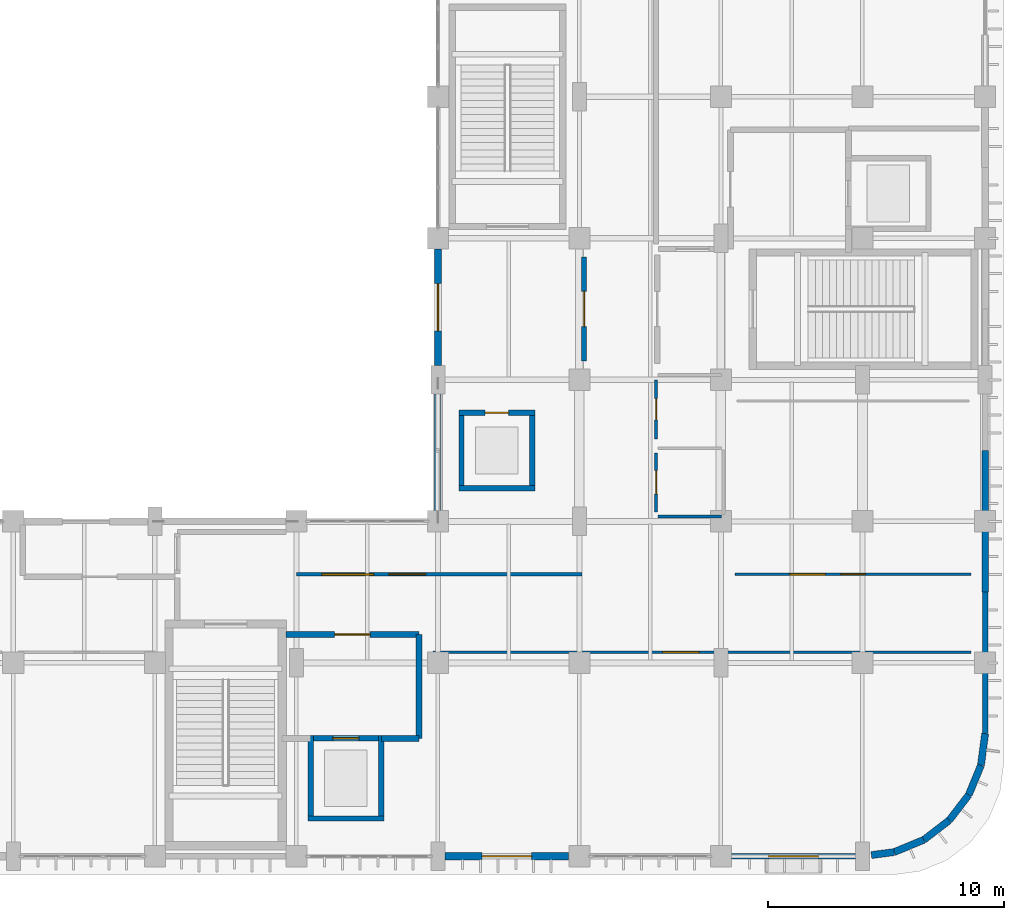
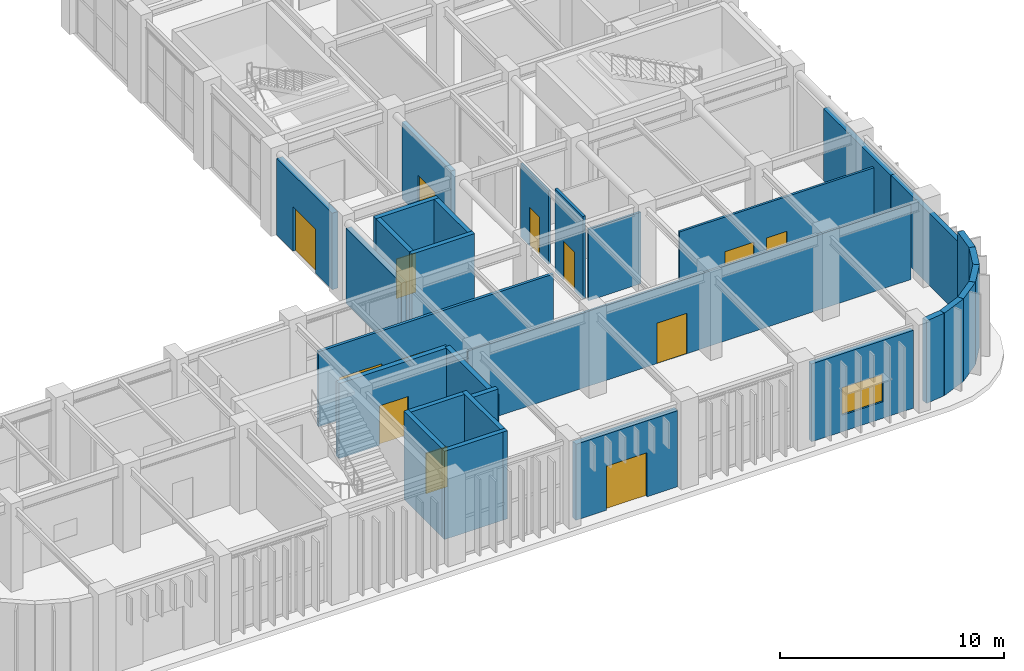
# One storey, part 50 of 76: 30 walls, 11 doors, 3 windows, 14 openings.
"""IFC4 building model written with IfcOpenShell, lengths in metres."""

import ifcopenshell
import ifcopenshell.guid

model = None  # the IFC model being written
_history = None  # IfcOwnerHistory: only IFC2X3 demands one
_inside = {}  # id of a spatial element -> (the spatial element, [elements in it])
_under = {}  # id of a project, library or spatial element -> (it, [spatial elements below it])
_declared = {}  # id of a project -> (the project, [libraries it declares])
_typed = {}  # id of a type object -> (the type object, [elements of that type])
_made_of = {}  # id of a material, layer set ... -> (it, [elements and type objects made of it])


def new_model(schema):
    """Start an empty IFC model of exactly this schema.

    Asked for "IFC4X3", IfcOpenShell would pick the latest addendum, in which some entities
    have other attributes; the version numbers below select the first issue.
    IFC2X3 requires an IfcOwnerHistory on every rooted entity: one is made here for all.
    """
    global model, _history
    if schema == "IFC4X3":
        model = ifcopenshell.file(schema_version=(4, 3, 0, 0))
    else:
        model = ifcopenshell.file(schema=schema)
    _inside.clear()
    _under.clear()
    _declared.clear()
    _typed.clear()
    _made_of.clear()
    _history = None
    if model.schema == "IFC2X3":
        org = make("IfcOrganization", Name="unknown")
        user = make(
            "IfcPersonAndOrganization",
            ThePerson=make("IfcPerson", FamilyName="unknown"),
            TheOrganization=org,
        )
        app = make(
            "IfcApplication",
            ApplicationDeveloper=org,
            Version="unknown",
            ApplicationFullName="unknown",
            ApplicationIdentifier="unknown",
        )
        _history = make(
            "IfcOwnerHistory",
            OwningUser=user,
            OwningApplication=app,
            ChangeAction="ADDED",
            CreationDate=0,
        )
    return model


def make(cls, **values):
    """One entity of the class cls with the attributes given. An attribute that is None is left unset."""
    return model.create_entity(
        cls, **{name: value for name, value in values.items() if value is not None}
    )


def rooted(cls, **values):
    """An entity with a GlobalId (a new one), such as an element, a storey or a relation."""
    return make(cls, GlobalId=ifcopenshell.guid.new(), OwnerHistory=_history, **values)


def si_unit(unit_type, name, prefix=None):
    """IfcSIUnit, for example si_unit("LENGTHUNIT", "METRE", prefix="MILLI")."""
    return make("IfcSIUnit", UnitType=unit_type, Prefix=prefix, Name=name)


def assignment(units):
    """IfcUnitAssignment: the units of a project."""
    return None if units is None else make("IfcUnitAssignment", Units=units)


def point(xyz):
    """IfcCartesianPoint."""
    return None if xyz is None else make("IfcCartesianPoint", Coordinates=xyz)


def direction(xyz):
    """IfcDirection."""
    return None if xyz is None else make("IfcDirection", DirectionRatios=xyz)


def frame(location, z_axis=None, x_axis=None):
    """IfcAxis2Placement3D, a coordinate frame: its origin and axes. An axis left out is left unset."""
    return make(
        "IfcAxis2Placement3D",
        Location=point(location),
        Axis=direction(z_axis),
        RefDirection=direction(x_axis),
    )


def frame_2d(location, x_axis=None):
    """IfcAxis2Placement2D, a coordinate frame in the plane: its origin and x axis."""
    return make(
        "IfcAxis2Placement2D", Location=point(location), RefDirection=direction(x_axis)
    )


def origin():
    """The frame at (0, 0, 0) with its axes left unset."""
    return frame((0.0, 0.0, 0.0))


def place(relative_to, where):
    """IfcLocalPlacement: puts the frame where relative to a parent placement (None: the world)."""
    return make(
        "IfcLocalPlacement", PlacementRelTo=relative_to, RelativePlacement=where
    )


def context(
    kind, dimensions, precision=None, world=None, true_north=None, identifier=None
):
    """IfcGeometricRepresentationContext, for example the 3D "Model" context."""
    return make(
        "IfcGeometricRepresentationContext",
        ContextIdentifier=identifier,
        ContextType=kind,
        CoordinateSpaceDimension=dimensions,
        Precision=precision,
        WorldCoordinateSystem=world,
        TrueNorth=true_north,
    )


def subcontext(parent, identifier, kind, view, scale=None):
    """IfcGeometricRepresentationSubContext, for example "Body" below "Model"."""
    return make(
        "IfcGeometricRepresentationSubContext",
        ContextIdentifier=identifier,
        ContextType=kind,
        ParentContext=parent,
        TargetScale=scale,
        TargetView=view,
    )


def project(units=None, contexts=None):
    """IfcProject with its units and contexts."""
    return rooted(
        "IfcProject",
        Name="project",
        RepresentationContexts=contexts,
        UnitsInContext=assignment(units),
    )


def spatial(cls, under=None, at=None, **own):
    """A site, building, storey or space (cls), placed at a placement, below another one or the project."""
    s = rooted(cls, ObjectPlacement=at, **own)
    if under is not None:
        _under.setdefault(under.id(), (under, []))[1].append(s)
    return s


def profile(cls, at=None, kind="AREA", **sizes):
    """A parametric profile (cls). Its sizes go by their IFC names, for example OverallWidth=200.0."""
    return make(cls, ProfileType=kind, Position=at, **sizes)


def rectangle(**sizes):
    """IfcRectangleProfileDef."""
    return profile("IfcRectangleProfileDef", **sizes)


def extrude(swept, where, along, depth):
    """IfcExtrudedAreaSolid: the profile swept, set in the frame where, extruded along a direction by depth."""
    return make(
        "IfcExtrudedAreaSolid",
        SweptArea=swept,
        Position=where,
        ExtrudedDirection=direction(along),
        Depth=depth,
    )


def shape(context_of_items, identifier, shape_type, items):
    """IfcShapeRepresentation: the items that make up one representation, for example the "Body"."""
    return make(
        "IfcShapeRepresentation",
        ContextOfItems=context_of_items,
        RepresentationIdentifier=identifier,
        RepresentationType=shape_type,
        Items=items,
    )


def material(Name=None, Category=None):
    """IfcMaterial."""
    return make("IfcMaterial", Name=Name, Category=Category)


def layer(
    of_material, thickness, ventilated=None, Name=None, Category=None, Priority=None
):
    """IfcMaterialLayer: one layer of a wall or slab, of a material (None: an air gap)."""
    return make(
        "IfcMaterialLayer",
        Material=of_material,
        LayerThickness=thickness,
        IsVentilated=ventilated,
        Name=Name,
        Category=Category,
        Priority=Priority,
    )


def layer_set(layers, Name=None):
    """IfcMaterialLayerSet."""
    return make("IfcMaterialLayerSet", MaterialLayers=layers, LayerSetName=Name)


def made_of(thing, what):
    """Note that an element or type object is made of a material, layer set ...; save() writes the relation."""
    if what is not None:
        _made_of.setdefault(what.id(), (what, []))[1].append(thing)
    return thing


def type_object(cls, material=None, **own):
    """A type object (cls), such as IfcWallType, which elements share."""
    return made_of(rooted(cls, **own), material)


def element(
    cls,
    number,
    at=None,
    inside=None,
    cuts=None,
    type_object=None,
    material=None,
    context=None,
    identifier="Body",
    shape_type=None,
    held_by="IfcProductDefinitionShape",
    body=None,
    shapes=None,
    **own,
):
    """One element of the class cls, such as IfcWall. Its Tag is "e" and its number.

    at: its placement. inside: the storey or other place that contains it. cuts: it is an
    opening in that element (IfcRelVoidsElement). A single representation is given by context,
    identifier, shape_type and body (its items); several are given by shapes. held_by: the class
    of the entity that holds the representations. save() writes the other relations.
    """
    e = rooted(cls, Tag="e%d" % number, ObjectPlacement=at, **own)
    if body is not None:
        shapes = [shape(context, identifier, shape_type, body)]
    if shapes is not None:
        e.Representation = make(held_by, Representations=shapes)
    if inside is not None:
        _inside.setdefault(inside.id(), (inside, []))[1].append(e)
    if cuts is not None:
        rooted(
            "IfcRelVoidsElement", RelatingBuildingElement=cuts, RelatedOpeningElement=e
        )
    if type_object is not None:
        _typed.setdefault(type_object.id(), (type_object, []))[1].append(e)
    return made_of(e, material)


def fill(opening, filler):
    """IfcRelFillsElement: the door or window that sits in an opening."""
    return rooted(
        "IfcRelFillsElement",
        RelatingOpeningElement=opening,
        RelatedBuildingElement=filler,
    )


def aggregate(whole, parts):
    """IfcRelAggregates: a whole, such as a stair, and the parts it consists of."""
    return rooted("IfcRelAggregates", RelatingObject=whole, RelatedObjects=parts)


def save(model, path):
    """Write the relations noted so far, then the file.

    IfcRelAggregates (storeys below a building ...), IfcRelContainedInSpatialStructure (elements
    in a storey), IfcRelDefinesByType, IfcRelAssociatesMaterial and IfcRelDeclares: one each for
    every whole, place, type object, material and project.
    """
    for whole, parts in _under.values():
        aggregate(whole, parts)
    for where, things in _inside.values():
        rooted(
            "IfcRelContainedInSpatialStructure",
            RelatedElements=things,
            RelatingStructure=where,
        )
    for kind, things in _typed.values():
        rooted("IfcRelDefinesByType", RelatedObjects=things, RelatingType=kind)
    for what, things in _made_of.values():
        rooted("IfcRelAssociatesMaterial", RelatedObjects=things, RelatingMaterial=what)
    for by, libraries in _declared.values():
        rooted("IfcRelDeclares", RelatingContext=by, RelatedDefinitions=libraries)
    model.write(path)


model = new_model("IFC4")

# Units and contexts
model_context = context("Model", 3, precision=1e-05, world=origin(), true_north=direction((0.0, 1.0)))
body_context = subcontext(model_context, "Body", "Model", "MODEL_VIEW")
ifc_project = project(units=[si_unit("LENGTHUNIT", "METRE"), si_unit("AREAUNIT", "SQUARE_METRE"), si_unit("VOLUMEUNIT", "CUBIC_METRE"), si_unit("PLANEANGLEUNIT", "RADIAN"), si_unit("MASSUNIT", "GRAM", prefix="KILO")], contexts=[model_context])

# Site, building, storey
site_placement = place(None, origin())
site = spatial("IfcSite", under=ifc_project, at=site_placement, CompositionType="ELEMENT")
building_placement = place(site_placement, origin())
building = spatial("IfcBuilding", under=site, at=building_placement, Name="Varnakota Square Police Headquarters", CompositionType="ELEMENT")
storey_placement = place(building_placement, origin())
storey = spatial("IfcBuildingStorey", under=building, at=storey_placement, Name="L00", CompositionType="ELEMENT", Elevation=0.0)

# Walls
ifc_material_1 = material(Name="Concrete M40", Category="concrete")
ifc_layer_1 = layer(ifc_material_1, 0.22998046875, Name="Concrete M40")
ifc_layer_set_1 = layer_set([ifc_layer_1], Name="Concrete M40")
wall_type_1 = type_object("IfcWallType", Name="WL-CORE-230", PredefinedType="SHEAR", material=ifc_layer_set_1)
wall_1_placement = place(storey_placement, frame((132.485107421875, 2.39990234375, 0.0), z_axis=(0.0, 0.0, 1.0), x_axis=(1.0, 0.0, 0.0)))
element("IfcWall", 1, at=wall_1_placement, inside=storey, type_object=wall_type_1, Name="Lift shaft wall LF-FF1 L00 S", PredefinedType="SHEAR", context=body_context, shape_type="SweptSolid", body=[
    extrude(rectangle(XDim=3.22998046875, YDim=0.22998046875, at=frame_2d((1.614990234375, 0.0))), origin(), (0.0, 0.0, 1.0), 4.800048828125),
])
wall_2_placement = place(storey_placement, frame((135.60009765625, 2.284912109375, 0.0), z_axis=(0.0, 0.0, 1.0), x_axis=(0.0, 1.0, 0.0)))
element("IfcWall", 2, at=wall_2_placement, inside=storey, type_object=wall_type_1, Name="Lift shaft wall LF-FF1 L00 E", PredefinedType="SHEAR", context=body_context, shape_type="SweptSolid", body=[
    extrude(rectangle(XDim=3.630126953125, YDim=0.22998046875, at=frame_2d((1.81494140625, 0.0))), origin(), (0.0, 0.0, 1.0), 4.800048828125),
])

# Wall, opening, door
wall_3_placement = place(storey_placement, frame((135.715087890625, 5.800048828125, 0.0), z_axis=(0.0, 0.0, 1.0), x_axis=(-1.0, 0.0, 0.0)))
wall_3 = element("IfcWall", 3, at=wall_3_placement, inside=storey, type_object=wall_type_1, Name="Lift shaft wall LF-FF1 L00 N", PredefinedType="SHEAR", context=body_context, shape_type="SweptSolid", body=[
    extrude(rectangle(XDim=3.22998046875, YDim=0.22998046875, at=frame_2d((1.614990234375, 0.0))), origin(), (0.0, 0.0, 1.0), 4.800048828125),
])
opening_1_placement = place(wall_3_placement, frame((1.06494140625, 0.0, 0.0)))
opening_1 = element("IfcOpeningElement", 4, at=opening_1_placement, cuts=wall_3, Name="Opening LD001", PredefinedType="OPENING", context=body_context, shape_type="SweptSolid", body=[
    extrude(rectangle(XDim=1.10009765625, YDim=2.199951171875, at=frame_2d((0.550048828125, 1.10009765625))), frame((0.0, 0.125, 0.0), z_axis=(0.0, -1.0, 0.0), x_axis=(1.0, 0.0, 0.0)), (0.0, 0.0, 1.0), 0.25),
])
ifc_material_2 = material(Name="Brushed Grade 316 Stainless Steel", Category="steel")
door_type_1 = type_object("IfcDoorType", Name="DR-LD-FF", OperationType="NOTDEFINED", PredefinedType="DOOR", material=ifc_material_2)
door_1_placement = place(opening_1_placement, origin())
door_1 = element("IfcDoor", 5, at=door_1_placement, inside=storey, type_object=door_type_1, Name="Lift sliding landing door LD001", OperationType="SLIDING_TO_LEFT", OverallHeight=2.199951171875, OverallWidth=1.10009765625, PredefinedType="DOOR", context=body_context, shape_type="SweptSolid", body=[
    extrude(rectangle(XDim=1.10009765625, YDim=2.199951171875, at=frame_2d((0.550048828125, 1.10009765625))), frame((0.0, 0.02490234375, 0.0), z_axis=(0.0, -1.0, 0.0), x_axis=(1.0, 0.0, 0.0)), (0.0, 0.0, 1.0), 0.050048828125),
])
fill(opening_1, door_1)

# Walls
wall_4_placement = place(storey_placement, frame((132.60009765625, 5.9150390625, 0.0), z_axis=(0.0, 0.0, 1.0), x_axis=(0.0, -1.0, 0.0)))
element("IfcWall", 6, at=wall_4_placement, inside=storey, type_object=wall_type_1, Name="Lift shaft wall LF-FF1 L00 W", PredefinedType="SHEAR", context=body_context, shape_type="SweptSolid", body=[
    extrude(rectangle(XDim=3.630126953125, YDim=0.22998046875, at=frame_2d((1.81494140625, 0.0))), origin(), (0.0, 0.0, 1.0), 4.800048828125),
])
wall_5_placement = place(storey_placement, frame((138.885009765625, 16.39990234375, 0.0), z_axis=(0.0, 0.0, 1.0), x_axis=(1.0, 0.0, 0.0)))
element("IfcWall", 7, at=wall_5_placement, inside=storey, type_object=wall_type_1, Name="Lift shaft wall LF-P1 L00 S", PredefinedType="SHEAR", context=body_context, shape_type="SweptSolid", body=[
    extrude(rectangle(XDim=3.22998046875, YDim=0.22998046875, at=frame_2d((1.614990234375, 0.0))), origin(), (0.0, 0.0, 1.0), 4.800048828125),
])
wall_6_placement = place(storey_placement, frame((142.0, 16.284912109375, 0.0), z_axis=(0.0, 0.0, 1.0), x_axis=(0.0, 1.0, 0.0)))
element("IfcWall", 8, at=wall_6_placement, inside=storey, type_object=wall_type_1, Name="Lift shaft wall LF-P1 L00 E", PredefinedType="SHEAR", context=body_context, shape_type="SweptSolid", body=[
    extrude(rectangle(XDim=3.43017578125, YDim=0.22998046875, at=frame_2d((1.715087890625, 0.0))), origin(), (0.0, 0.0, 1.0), 4.800048828125),
])

# Wall, opening, door
wall_7_placement = place(storey_placement, frame((142.114990234375, 19.60009765625, 0.0), z_axis=(0.0, 0.0, 1.0), x_axis=(-1.0, 0.0, 0.0)))
wall_7 = element("IfcWall", 9, at=wall_7_placement, inside=storey, type_object=wall_type_1, Name="Lift shaft wall LF-P1 L00 N", PredefinedType="SHEAR", context=body_context, shape_type="SweptSolid", body=[
    extrude(rectangle(XDim=3.22998046875, YDim=0.22998046875, at=frame_2d((1.614990234375, 0.0))), origin(), (0.0, 0.0, 1.0), 4.800048828125),
])
opening_2_placement = place(wall_7_placement, frame((1.114990234375, 0.0, 0.0)))
opening_2 = element("IfcOpeningElement", 10, at=opening_2_placement, cuts=wall_7, Name="Opening LD017", PredefinedType="OPENING", context=body_context, shape_type="SweptSolid", body=[
    extrude(rectangle(XDim=1.0, YDim=2.14990234375, at=frame_2d((0.5, 1.074951171875))), frame((0.0, 0.125, 0.0), z_axis=(0.0, -1.0, 0.0), x_axis=(1.0, 0.0, 0.0)), (0.0, 0.0, 1.0), 0.25),
])
door_type_2 = type_object("IfcDoorType", Name="DR-LD-PAX", OperationType="NOTDEFINED", PredefinedType="DOOR", material=ifc_material_2)
door_2_placement = place(opening_2_placement, origin())
door_2 = element("IfcDoor", 11, at=door_2_placement, inside=storey, type_object=door_type_2, Name="Lift sliding landing door LD017", OperationType="SLIDING_TO_LEFT", OverallHeight=2.14990234375, OverallWidth=1.0, PredefinedType="DOOR", context=body_context, shape_type="SweptSolid", body=[
    extrude(rectangle(XDim=1.0, YDim=2.14990234375, at=frame_2d((0.5, 1.074951171875))), frame((0.0, 0.02490234375, 0.0), z_axis=(0.0, -1.0, 0.0), x_axis=(1.0, 0.0, 0.0)), (0.0, 0.0, 1.0), 0.050048828125),
])
fill(opening_2, door_2)

# Wall
wall_8_placement = place(storey_placement, frame((139.0, 19.715087890625, 0.0), z_axis=(0.0, 0.0, 1.0), x_axis=(0.0, -1.0, 0.0)))
element("IfcWall", 12, at=wall_8_placement, inside=storey, type_object=wall_type_1, Name="Lift shaft wall LF-P1 L00 W", PredefinedType="SHEAR", context=body_context, shape_type="SweptSolid", body=[
    extrude(rectangle(XDim=3.43017578125, YDim=0.22998046875, at=frame_2d((1.715087890625, 0.0))), origin(), (0.0, 0.0, 1.0), 4.800048828125),
])

# Wall, opening, window
ifc_layer_2 = layer(ifc_material_1, 0.239990234375, Name="Concrete M40")
ifc_layer_set_2 = layer_set([ifc_layer_2], Name="Concrete M40")
wall_type_2 = type_object("IfcWallType", Name="WL-EXT-240", PredefinedType="SOLIDWALL", material=ifc_layer_set_2)
wall_9_placement = place(storey_placement, frame((150.4541015625, 0.800048828125, 0.0), z_axis=(0.0, 0.0, 1.0), x_axis=(1.0, 0.0, 0.0)))
wall_9 = element("IfcWall", 13, at=wall_9_placement, inside=storey, type_object=wall_type_2, Name="Exterior wall EW-L00-0107", PredefinedType="SOLIDWALL", context=body_context, shape_type="SweptSolid", body=[
    extrude(rectangle(XDim=5.241943359375, YDim=0.239990234375, at=frame_2d((2.62109375, 0.0))), origin(), (0.0, 0.0, 1.0), 4.239990234375),
])
opening_3_placement = place(wall_9_placement, frame((1.571044921875, 0.0, 0.89990234375)))
opening_3 = element("IfcOpeningElement", 14, at=opening_3_placement, cuts=wall_9, Name="Opening W08", PredefinedType="OPENING", context=body_context, shape_type="SweptSolid", body=[
    extrude(rectangle(XDim=2.10009765625, YDim=1.5, at=frame_2d((1.050048828125, 0.75))), frame((0.0, 0.1298828125, 0.0), z_axis=(0.0, -1.0, 0.0), x_axis=(1.0, 0.0, 0.0)), (0.0, 0.0, 1.0), 0.260009765625),
])
ifc_material_3 = material(Name="Thermally Broken Aluminium Double-Glazed Window", Category="aluminium")
window_type_1 = type_object("IfcWindowType", Name="WIN-08", PartitioningType="SINGLE_PANEL", PredefinedType="WINDOW", material=ifc_material_3)
window_1_placement = place(opening_3_placement, origin())
window_1 = element("IfcWindow", 15, at=window_1_placement, inside=storey, type_object=window_type_1, Name="Window WN-L00-0014", OverallHeight=1.5, OverallWidth=2.10009765625, PartitioningType="SINGLE_PANEL", PredefinedType="WINDOW", context=body_context, shape_type="SweptSolid", body=[
    extrude(rectangle(XDim=2.10009765625, YDim=1.5, at=frame_2d((1.050048828125, 0.75))), frame((0.0, 0.030029296875, 0.0), z_axis=(0.0, -1.0, 0.0), x_axis=(1.0, 0.0, 0.0)), (0.0, 0.0, 1.0), 0.06005859375),
])
fill(opening_3, window_1)

# Walls
wall_10_placement = place(storey_placement, frame((161.199951171875, 6.0, 0.0), z_axis=(0.0, 0.0, 1.0), x_axis=(0.0, 1.0, 0.0)))
element("IfcWall", 16, at=wall_10_placement, inside=storey, type_object=wall_type_2, Name="Exterior wall EW-L00-0108", PredefinedType="SOLIDWALL", context=body_context, shape_type="SweptSolid", body=[
    extrude(rectangle(XDim=6.0, YDim=0.239990234375, at=frame_2d((3.0, 0.0))), origin(), (0.0, 0.0, 1.0), 3.93994140625),
])
ifc_layer_3 = layer(ifc_material_1, 0.280029296875, Name="Concrete M40")
ifc_layer_set_3 = layer_set([ifc_layer_3], Name="Concrete M40")
wall_type_3 = type_object("IfcWallType", Name="WL-EXT-280", PredefinedType="SOLIDWALL", material=ifc_layer_set_3)
wall_11_placement = place(storey_placement, frame((161.199951171875, 12.0, 0.0), z_axis=(0.0, 0.0, 1.0), x_axis=(0.0, 1.0, 0.0)))
element("IfcWall", 17, at=wall_11_placement, inside=storey, type_object=wall_type_3, Name="Exterior wall EW-L00-0109", PredefinedType="SOLIDWALL", context=body_context, shape_type="SweptSolid", body=[
    extrude(rectangle(XDim=6.0, YDim=0.280029296875, at=frame_2d((3.0, 0.0))), origin(), (0.0, 0.0, 1.0), 3.93994140625),
])
wall_12_placement = place(storey_placement, frame((138.0, 15.4541015625, 0.0), z_axis=(0.0, 0.0, 1.0), x_axis=(0.0, 1.0, 0.0)))
element("IfcWall", 18, at=wall_12_placement, inside=storey, type_object=wall_type_3, Name="Exterior wall EW-L00-0116", PredefinedType="SOLIDWALL", context=body_context, shape_type="SweptSolid", body=[
    extrude(rectangle(XDim=4.94189453125, YDim=0.280029296875, at=frame_2d((2.470947265625, 0.0))), origin(), (0.0, 0.0, 1.0), 4.08349609375),
])

# Wall, opening, door
ifc_material_4 = material(Name="Precast concrete M40", Category="concrete")
ifc_layer_4 = layer(ifc_material_4, 0.300048828125, Name="Precast concrete M40")
ifc_layer_set_4 = layer_set([ifc_layer_4], Name="Precast concrete M40")
wall_type_4 = type_object("IfcWallType", Name="WL-EXT-300", PredefinedType="SOLIDWALL", material=ifc_layer_set_4)
wall_13_placement = place(storey_placement, frame((138.303955078125, 0.800048828125, 0.0), z_axis=(0.0, 0.0, 1.0), x_axis=(1.0, 0.0, 0.0)))
wall_13 = element("IfcWall", 19, at=wall_13_placement, inside=storey, type_object=wall_type_4, Name="Exterior wall EW-L00-0106", PredefinedType="SOLIDWALL", context=body_context, shape_type="SweptSolid", body=[
    extrude(rectangle(XDim=5.241943359375, YDim=0.300048828125, at=frame_2d((2.62109375, 0.0))), origin(), (0.0, 0.0, 1.0), 4.139892578125),
])
opening_4_placement = place(wall_13_placement, frame((1.571044921875, 0.0, 0.0)))
opening_4 = element("IfcOpeningElement", 20, at=opening_4_placement, cuts=wall_13, Name="Opening ED12", PredefinedType="OPENING", context=body_context, shape_type="SweptSolid", body=[
    extrude(rectangle(XDim=2.10009765625, YDim=2.39990234375, at=frame_2d((1.050048828125, 1.199951171875))), frame((0.0, 0.159912109375, 0.0), z_axis=(0.0, -1.0, 0.0), x_axis=(1.0, 0.0, 0.0)), (0.0, 0.0, 1.0), 0.320068359375),
])
ifc_material_5 = material(Name="Anodised Aluminium Glazed Exit Door", Category="aluminium")
door_type_3 = type_object("IfcDoorType", Name="DR-EXT-ED210", OperationType="NOTDEFINED", PredefinedType="DOOR", material=ifc_material_5)
door_3_placement = place(opening_4_placement, frame((2.10009765625, 0.0, 0.0), z_axis=(0.0, 0.0, 1.0), x_axis=(-1.0, 0.0, 0.0)))
door_3 = element("IfcDoor", 21, at=door_3_placement, inside=storey, type_object=door_type_3, Name="Exterior door ED12", OperationType="DOUBLE_DOOR_SINGLE_SWING", OverallHeight=2.39990234375, OverallWidth=2.10009765625, PredefinedType="DOOR", context=body_context, shape_type="SweptSolid", body=[
    extrude(rectangle(XDim=2.10009765625, YDim=2.39990234375, at=frame_2d((1.050048828125, 1.199951171875))), frame((0.0, 0.02490234375, 0.0), z_axis=(0.0, -1.0, 0.0), x_axis=(1.0, 0.0, 0.0)), (0.0, 0.0, 1.0), 0.050048828125),
])
fill(opening_4, door_3)

wall_14_placement = place(storey_placement, frame((138.0, 21.60400390625, 0.0), z_axis=(0.0, 0.0, 1.0), x_axis=(0.0, 1.0, 0.0)))
wall_14 = element("IfcWall", 22, at=wall_14_placement, inside=storey, type_object=wall_type_4, Name="Exterior wall EW-L00-0117", PredefinedType="SOLIDWALL", context=body_context, shape_type="SweptSolid", body=[
    extrude(rectangle(XDim=4.94189453125, YDim=0.300048828125, at=frame_2d((2.470947265625, 0.0))), origin(), (0.0, 0.0, 1.0), 4.166015625),
])
opening_5_placement = place(wall_14_placement, frame((1.470947265625, 0.0, 0.0)))
opening_5 = element("IfcOpeningElement", 23, at=opening_5_placement, cuts=wall_14, Name="Opening ED15", PredefinedType="OPENING", context=body_context, shape_type="SweptSolid", body=[
    extrude(rectangle(XDim=2.0, YDim=2.39990234375, at=frame_2d((1.0, 1.199951171875))), frame((0.0, 0.159912109375, 0.0), z_axis=(0.0, -1.0, 0.0), x_axis=(1.0, 0.0, 0.0)), (0.0, 0.0, 1.0), 0.320068359375),
])
ifc_material_6 = material(Name="Powder-Coated Steel Exit Door", Category="steel")
door_type_4 = type_object("IfcDoorType", Name="DR-EXT-ED200", OperationType="NOTDEFINED", PredefinedType="DOOR", material=ifc_material_6)
door_4_placement = place(opening_5_placement, origin())
door_4 = element("IfcDoor", 24, at=door_4_placement, inside=storey, type_object=door_type_4, Name="Exterior door ED15", OperationType="DOUBLE_DOOR_SINGLE_SWING", OverallHeight=2.39990234375, OverallWidth=2.0, PredefinedType="DOOR", context=body_context, shape_type="SweptSolid", body=[
    extrude(rectangle(XDim=2.0, YDim=2.39990234375, at=frame_2d((1.0, 1.199951171875))), frame((0.0, 0.02490234375, 0.0), z_axis=(0.0, -1.0, 0.0), x_axis=(1.0, 0.0, 0.0)), (0.0, 0.0, 1.0), 0.050048828125),
])
fill(opening_5, door_4)

# Walls
wall_15_placement = place(storey_placement, frame((156.37646484375, 0.849609375, 0.0), z_axis=(0.0, 0.0, 1.0), x_axis=(0.991438141852, 0.130577221906, 0.0)))
element("IfcWall", 25, at=wall_15_placement, inside=storey, type_object=wall_type_4, Name="Exterior wall EW-L00-0129", PredefinedType="SOLIDWALL", context=body_context, shape_type="SweptSolid", body=[
    extrude(rectangle(XDim=0.977783203125, YDim=0.300048828125, at=frame_2d((0.48876953125, 0.0))), origin(), (0.0, 0.0, 1.0), 4.4951171875),
])
for number, where, z_axis, x_axis, name in (
    (26, (157.345947265625, 0.977294921875, 0.0), (0.0, 0.0, 1.0), (0.923931353894, 0.382558300513, 0.0), "Exterior wall EW-L00-0130"),
    (27, (158.60009765625, 1.49658203125, 0.0), (0.0, 0.0, 1.0), (0.793325486746, 0.608797726736, 0.0), "Exterior wall EW-L00-0131"),
    (28, (159.677001953125, 2.322998046875, 0.0), (0.0, 0.0, 1.0), (0.608797726736, 0.793325486746, 0.0), "Exterior wall EW-L00-0132"),
    (29, (160.50341796875, 3.39990234375, 0.0), (0.0, 0.0, 1.0), (0.382558300513, 0.923931353894, 0.0), "Exterior wall EW-L00-0133"),
):
    element("IfcWall", number, at=place(storey_placement, frame(where, z_axis=z_axis, x_axis=x_axis)), inside=storey, type_object=wall_type_4, Name=name, PredefinedType="SOLIDWALL", context=body_context, shape_type="SweptSolid", body=[
        extrude(rectangle(XDim=1.357421875, YDim=0.300048828125, at=frame_2d((0.6787109375, 0.0))), origin(), (0.0, 0.0, 1.0), 4.4951171875),
    ])
wall_16_placement = place(storey_placement, frame((161.022705078125, 4.654052734375, 0.0), z_axis=(0.0, 0.0, 1.0), x_axis=(0.130561507967, 0.991440211328, 0.0)))
element("IfcWall", 30, at=wall_16_placement, inside=storey, type_object=wall_type_4, Name="Exterior wall EW-L00-0134", PredefinedType="SOLIDWALL", context=body_context, shape_type="SweptSolid", body=[
    extrude(rectangle(XDim=1.357666015625, YDim=0.300048828125, at=frame_2d((0.6787109375, 0.0))), origin(), (0.0, 0.0, 1.0), 4.4951171875),
])

# Wall, opening, door
ifc_material_7 = material(Name="Glazed Clean-Lab Modular Partition", Category="gypsum")
ifc_layer_5 = layer(ifc_material_7, 0.10498046875, Name="Glazed Clean-Lab Modular Partition")
ifc_layer_set_5 = layer_set([ifc_layer_5], Name="Glazed Clean-Lab Modular Partition")
wall_type_5 = type_object("IfcWallType", Name="WL-PRT-105", PredefinedType="PARTITIONING", material=ifc_layer_set_5)
wall_17_placement = place(storey_placement, frame((137.800048828125, 9.449951171875, 0.0), z_axis=(0.0, 0.0, 1.0), x_axis=(1.0, 0.0, 0.0)))
wall_17 = element("IfcWall", 31, at=wall_17_placement, inside=storey, type_object=wall_type_5, Name="Interior partition PW-L00-0037 (Patrol Dispatch Suite)", PredefinedType="PARTITIONING", context=body_context, shape_type="SweptSolid", body=[
    extrude(rectangle(XDim=22.800048828125, YDim=0.10498046875, at=frame_2d((11.39990234375, 0.0))), origin(), (0.0, 0.0, 1.0), 4.090087890625),
])
opening_6_placement = place(wall_17_placement, frame((9.72509765625, 0.0, 0.0)))
opening_6 = element("IfcOpeningElement", 32, at=opening_6_placement, cuts=wall_17, Name="Opening D169", PredefinedType="OPENING", context=body_context, shape_type="SweptSolid", body=[
    extrude(rectangle(XDim=1.550048828125, YDim=2.199951171875, at=frame_2d((0.77490234375, 1.10009765625))), frame((0.0, 0.0625, 0.0), z_axis=(0.0, -1.0, 0.0), x_axis=(1.0, 0.0, 0.0)), (0.0, 0.0, 1.0), 0.125),
])
ifc_material_8 = material(Name="Solid-Core Acoustic Oak Veneer Timber", Category="wood")
door_type_5 = type_object("IfcDoorType", Name="DR-BRF-155", OperationType="NOTDEFINED", PredefinedType="DOOR", material=ifc_material_8)
door_5_placement = place(opening_6_placement, origin())
door_5 = element("IfcDoor", 33, at=door_5_placement, inside=storey, type_object=door_type_5, Name="Room door D169 (Patrol Dispatch Suite)", OperationType="DOUBLE_DOOR_SINGLE_SWING", OverallHeight=2.199951171875, OverallWidth=1.550048828125, PredefinedType="DOOR", context=body_context, shape_type="SweptSolid", body=[
    extrude(rectangle(XDim=1.550048828125, YDim=2.199951171875, at=frame_2d((0.77490234375, 1.10009765625))), frame((0.0, 0.02490234375, 0.0), z_axis=(0.0, -1.0, 0.0), x_axis=(1.0, 0.0, 0.0)), (0.0, 0.0, 1.0), 0.050048828125),
])
fill(opening_6, door_5)

ifc_material_9 = material(Name="Moisture-Resistant Tile-Backed Partition", Category="gypsum")
ifc_layer_6 = layer(ifc_material_9, 0.114990234375, Name="Moisture-Resistant Tile-Backed Partition")
ifc_layer_set_6 = layer_set([ifc_layer_6], Name="Moisture-Resistant Tile-Backed Partition")
wall_type_6 = type_object("IfcWallType", Name="WL-PRT-115", PredefinedType="PARTITIONING", material=ifc_layer_set_6)
wall_18_placement = place(storey_placement, frame((147.25, 18.5, 0.0), z_axis=(0.0, 0.0, 1.0), x_axis=(0.0, 1.0, 0.0)))
wall_18 = element("IfcWall", 34, at=wall_18_placement, inside=storey, type_object=wall_type_6, Name="Interior partition PW-L00-0021 (L00 Operations Men Washroom WC)", PredefinedType="PARTITIONING", context=body_context, shape_type="SweptSolid", body=[
    extrude(rectangle(XDim=2.5, YDim=0.114990234375, at=frame_2d((1.25, 0.0))), origin(), (0.0, 0.0, 1.0), 3.989990234375),
])
opening_7_placement = place(wall_18_placement, frame((0.800048828125, 0.0, 0.0)))
opening_7 = element("IfcOpeningElement", 35, at=opening_7_placement, cuts=wall_18, Name="Opening D153", PredefinedType="OPENING", context=body_context, shape_type="SweptSolid", body=[
    extrude(rectangle(XDim=0.89990234375, YDim=2.10009765625, at=frame_2d((0.449951171875, 1.050048828125))), frame((0.0, 0.0673828125, 0.0), z_axis=(0.0, -1.0, 0.0), x_axis=(1.0, 0.0, 0.0)), (0.0, 0.0, 1.0), 0.135009765625),
])
ifc_material_10 = material(Name="High-Pressure Moisture-Resistant Compact Laminate")
door_type_6 = type_object("IfcDoorType", Name="DR-WC-090", OperationType="NOTDEFINED", PredefinedType="DOOR", material=ifc_material_10)
door_6_placement = place(opening_7_placement, origin())
door_6 = element("IfcDoor", 36, at=door_6_placement, inside=storey, type_object=door_type_6, Name="Room door D153 (L00 Operations Men Washroom WC)", OperationType="SINGLE_SWING_LEFT", OverallHeight=2.10009765625, OverallWidth=0.89990234375, PredefinedType="DOOR", context=body_context, shape_type="SweptSolid", body=[
    extrude(rectangle(XDim=0.89990234375, YDim=2.10009765625, at=frame_2d((0.449951171875, 1.050048828125))), frame((0.0, 0.02490234375, 0.0), z_axis=(0.0, -1.0, 0.0), x_axis=(1.0, 0.0, 0.0)), (0.0, 0.0, 1.0), 0.050048828125),
])
fill(opening_7, door_6)

# Wall, openings, door, window
wall_19_placement = place(storey_placement, frame((160.60009765625, 12.75, 0.0), z_axis=(0.0, 0.0, 1.0), x_axis=(-1.0, 0.0, 0.0)))
wall_19 = element("IfcWall", 37, at=wall_19_placement, inside=storey, type_object=wall_type_6, Name="Interior partition PW-L00-0039 (Field Radio Issue Store)", PredefinedType="PARTITIONING", context=body_context, shape_type="SweptSolid", body=[
    extrude(rectangle(XDim=10.0, YDim=0.114990234375, at=frame_2d((5.0, 0.0))), origin(), (0.0, 0.0, 1.0), 4.090087890625),
])
opening_8_placement = place(wall_19_placement, frame((4.47509765625, 0.0, 0.0)))
opening_8 = element("IfcOpeningElement", 38, at=opening_8_placement, cuts=wall_19, Name="Opening D171", PredefinedType="OPENING", context=body_context, shape_type="SweptSolid", body=[
    extrude(rectangle(XDim=1.050048828125, YDim=2.199951171875, at=frame_2d((0.52490234375, 1.10009765625))), frame((0.0, 0.0673828125, 0.0), z_axis=(0.0, -1.0, 0.0), x_axis=(1.0, 0.0, 0.0)), (0.0, 0.0, 1.0), 0.135009765625),
])
opening_9_placement = place(wall_19_placement, frame((6.175048828125, 0.0, 1.0)))
opening_9 = element("IfcOpeningElement", 39, at=opening_9_placement, cuts=wall_19, Name="Opening IW07", PredefinedType="OPENING", context=body_context, shape_type="SweptSolid", body=[
    extrude(rectangle(XDim=1.5, YDim=1.199951171875, at=frame_2d((0.75, 0.60009765625))), frame((0.0, 0.0673828125, 0.0), z_axis=(0.0, -1.0, 0.0), x_axis=(1.0, 0.0, 0.0)), (0.0, 0.0, 1.0), 0.135009765625),
])
ifc_material_11 = material(Name="Anodised Aluminium and Laminated Acoustic Glass", Category="aluminium")
door_type_7 = type_object("IfcDoorType", Name="DR-OFF-105", OperationType="NOTDEFINED", PredefinedType="DOOR", material=ifc_material_11)
door_7_placement = place(opening_8_placement, origin())
door_7 = element("IfcDoor", 40, at=door_7_placement, inside=storey, type_object=door_type_7, Name="Room door D171 (Field Radio Issue Store)", OperationType="SINGLE_SWING_RIGHT", OverallHeight=2.199951171875, OverallWidth=1.050048828125, PredefinedType="DOOR", context=body_context, shape_type="SweptSolid", body=[
    extrude(rectangle(XDim=1.050048828125, YDim=2.199951171875, at=frame_2d((0.52490234375, 1.10009765625))), frame((0.0, 0.02490234375, 0.0), z_axis=(0.0, -1.0, 0.0), x_axis=(1.0, 0.0, 0.0)), (0.0, 0.0, 1.0), 0.050048828125),
])
fill(opening_8, door_7)
ifc_material_12 = material(Name="Acoustic Laminated Interior Vision Glazing", Category="glass")
window_type_2 = type_object("IfcWindowType", Name="WIN-INT-07", PartitioningType="SINGLE_PANEL", PredefinedType="WINDOW", material=ifc_material_12)
window_2_placement = place(opening_9_placement, origin())
window_2 = element("IfcWindow", 41, at=window_2_placement, inside=storey, type_object=window_type_2, Name="Interior observation window IWN-L00-007", OverallHeight=1.199951171875, OverallWidth=1.5, PartitioningType="SINGLE_PANEL", PredefinedType="WINDOW", context=body_context, shape_type="SweptSolid", body=[
    extrude(rectangle(XDim=1.5, YDim=1.199951171875, at=frame_2d((0.75, 0.60009765625))), frame((0.0, 0.030029296875, 0.0), z_axis=(0.0, -1.0, 0.0), x_axis=(1.0, 0.0, 0.0)), (0.0, 0.0, 1.0), 0.06005859375),
])
fill(opening_9, window_2)

# Wall
wall_20_placement = place(storey_placement, frame((150.02001953125, 15.199951171875, 0.0), z_axis=(0.0, 0.0, 1.0), x_axis=(-1.0, 0.0, 0.0)))
element("IfcWall", 42, at=wall_20_placement, inside=storey, type_object=wall_type_6, Name="Interior dividing partition PW-L00-0057 (L00 Accessible WC East)", PredefinedType="PARTITIONING", context=body_context, shape_type="SweptSolid", body=[
    extrude(rectangle(XDim=2.68994140625, YDim=0.114990234375, at=frame_2d((1.344970703125, 0.0))), origin(), (0.0, 0.0, 1.0), 3.889892578125),
])

# Wall, opening, door
ifc_material_13 = material(Name="Acoustic Insulated Metal-Stud Partition", Category="gypsum")
ifc_layer_7 = layer(ifc_material_13, 0.139892578125, Name="Acoustic Insulated Metal-Stud Partition")
ifc_layer_set_7 = layer_set([ifc_layer_7], Name="Acoustic Insulated Metal-Stud Partition")
wall_type_7 = type_object("IfcWallType", Name="WL-PRT-140", PredefinedType="PARTITIONING", material=ifc_layer_set_7)
wall_21_placement = place(storey_placement, frame((147.25, 15.39990234375, 0.0), z_axis=(0.0, 0.0, 1.0), x_axis=(0.0, 1.0, 0.0)))
wall_21 = element("IfcWall", 43, at=wall_21_placement, inside=storey, type_object=wall_type_7, Name="Interior partition PW-L00-0020 (L00 Accessible WC East)", PredefinedType="PARTITIONING", context=body_context, shape_type="SweptSolid", body=[
    extrude(rectangle(XDim=2.5, YDim=0.139892578125, at=frame_2d((1.25, 0.0))), origin(), (0.0, 0.0, 1.0), 4.489990234375),
])
opening_10_placement = place(wall_21_placement, frame((0.75, 0.0, 0.0)))
opening_10 = element("IfcOpeningElement", 44, at=opening_10_placement, cuts=wall_21, Name="Opening D152", PredefinedType="OPENING", context=body_context, shape_type="SweptSolid", body=[
    extrude(rectangle(XDim=1.0, YDim=2.10009765625, at=frame_2d((0.5, 1.050048828125))), frame((0.0, 0.079833984375, 0.0), z_axis=(0.0, -1.0, 0.0), x_axis=(1.0, 0.0, 0.0)), (0.0, 0.0, 1.0), 0.159912109375),
])
ifc_material_14 = material(Name="Antimicrobial High-Pressure Compact Laminate")
door_type_8 = type_object("IfcDoorType", Name="DR-WCA-100", OperationType="NOTDEFINED", PredefinedType="DOOR", material=ifc_material_14)
door_8_placement = place(opening_10_placement, origin())
door_8 = element("IfcDoor", 45, at=door_8_placement, inside=storey, type_object=door_type_8, Name="Room door D152 (L00 Accessible WC East)", OperationType="SINGLE_SWING_RIGHT", OverallHeight=2.10009765625, OverallWidth=1.0, PredefinedType="DOOR", context=body_context, shape_type="SweptSolid", body=[
    extrude(rectangle(XDim=1.0, YDim=2.10009765625, at=frame_2d((0.5, 1.050048828125))), frame((0.0, 0.02490234375, 0.0), z_axis=(0.0, -1.0, 0.0), x_axis=(1.0, 0.0, 0.0)), (0.0, 0.0, 1.0), 0.050048828125),
])
fill(opening_10, door_8)

# Wall, openings, door, window
wall_22_placement = place(storey_placement, frame((144.10009765625, 12.75, 0.0), z_axis=(0.0, 0.0, 1.0), x_axis=(-1.0, 0.0, 0.0)))
wall_22 = element("IfcWall", 46, at=wall_22_placement, inside=storey, type_object=wall_type_7, Name="Interior partition PW-L00-0038 (Patrol Shift Briefing Room)", PredefinedType="PARTITIONING", context=body_context, shape_type="SweptSolid", body=[
    extrude(rectangle(XDim=12.10009765625, YDim=0.139892578125, at=frame_2d((6.050048828125, 0.0))), origin(), (0.0, 0.0, 1.0), 4.090087890625),
])
opening_11_placement = place(wall_22_placement, frame((6.625, 0.0, 0.0)))
opening_11 = element("IfcOpeningElement", 47, at=opening_11_placement, cuts=wall_22, Name="Opening D170", PredefinedType="OPENING", context=body_context, shape_type="SweptSolid", body=[
    extrude(rectangle(XDim=1.550048828125, YDim=2.199951171875, at=frame_2d((0.77490234375, 1.10009765625))), frame((0.0, 0.079833984375, 0.0), z_axis=(0.0, -1.0, 0.0), x_axis=(1.0, 0.0, 0.0)), (0.0, 0.0, 1.0), 0.159912109375),
])
opening_12_placement = place(wall_22_placement, frame((8.824951171875, 0.0, 0.89990234375)))
opening_12 = element("IfcOpeningElement", 48, at=opening_12_placement, cuts=wall_22, Name="Opening IW06", PredefinedType="OPENING", context=body_context, shape_type="SweptSolid", body=[
    extrude(rectangle(XDim=2.199951171875, YDim=1.39990234375, at=frame_2d((1.10009765625, 0.699951171875))), frame((0.0, 0.079833984375, 0.0), z_axis=(0.0, -1.0, 0.0), x_axis=(1.0, 0.0, 0.0)), (0.0, 0.0, 1.0), 0.159912109375),
])
door_9_placement = place(opening_11_placement, origin())
door_9 = element("IfcDoor", 49, at=door_9_placement, inside=storey, type_object=door_type_5, Name="Room door D170 (Patrol Shift Briefing Room)", OperationType="DOUBLE_DOOR_SINGLE_SWING", OverallHeight=2.199951171875, OverallWidth=1.550048828125, PredefinedType="DOOR", context=body_context, shape_type="SweptSolid", body=[
    extrude(rectangle(XDim=1.550048828125, YDim=2.199951171875, at=frame_2d((0.77490234375, 1.10009765625))), frame((0.0, 0.02490234375, 0.0), z_axis=(0.0, -1.0, 0.0), x_axis=(1.0, 0.0, 0.0)), (0.0, 0.0, 1.0), 0.050048828125),
])
fill(opening_11, door_9)
window_type_3 = type_object("IfcWindowType", Name="WIN-INT-06", PartitioningType="SINGLE_PANEL", PredefinedType="WINDOW", material=ifc_material_12)
window_3_placement = place(opening_12_placement, origin())
window_3 = element("IfcWindow", 50, at=window_3_placement, inside=storey, type_object=window_type_3, Name="Interior observation window IWN-L00-006", OverallHeight=1.39990234375, OverallWidth=2.199951171875, PartitioningType="SINGLE_PANEL", PredefinedType="WINDOW", context=body_context, shape_type="SweptSolid", body=[
    extrude(rectangle(XDim=2.199951171875, YDim=1.39990234375, at=frame_2d((1.10009765625, 0.699951171875))), frame((0.0, 0.030029296875, 0.0), z_axis=(0.0, -1.0, 0.0), x_axis=(1.0, 0.0, 0.0)), (0.0, 0.0, 1.0), 0.06005859375),
])
fill(opening_12, window_3)

# Wall, opening, door
ifc_layer_8 = layer(ifc_material_1, 0.215087890625, Name="Concrete M40")
ifc_layer_set_8 = layer_set([ifc_layer_8], Name="Concrete M40")
wall_type_8 = type_object("IfcWallType", Name="WL-PRT-215F", PredefinedType="PARTITIONING", material=ifc_layer_set_8)
wall_23_placement = place(storey_placement, frame((144.199951171875, 21.800048828125, 0.0), z_axis=(0.0, 0.0, 1.0), x_axis=(0.0, 1.0, 0.0)))
wall_23 = element("IfcWall", 51, at=wall_23_placement, inside=storey, type_object=wall_type_8, Name="Core C3 lobby fire partition L00", PredefinedType="PARTITIONING", context=body_context, shape_type="SweptSolid", body=[
    extrude(rectangle(XDim=4.39990234375, YDim=0.215087890625, at=frame_2d((2.199951171875, 0.0))), origin(), (0.0, 0.0, 1.0), 4.166015625),
])
opening_13_placement = place(wall_23_placement, frame((1.449951171875, 0.0, 0.0)))
opening_13 = element("IfcOpeningElement", 52, at=opening_13_placement, cuts=wall_23, Name="Opening FD057", PredefinedType="OPENING", context=body_context, shape_type="SweptSolid", body=[
    extrude(rectangle(XDim=1.5, YDim=2.14990234375, at=frame_2d((0.75, 1.074951171875))), frame((0.0, 0.117431640625, 0.0), z_axis=(0.0, -1.0, 0.0), x_axis=(1.0, 0.0, 0.0)), (0.0, 0.0, 1.0), 0.235107421875),
])
ifc_material_15 = material(Name="Smoke-Sealed Galvanised Acoustic Steel", Category="steel")
door_type_9 = type_object("IfcDoorType", Name="DR-FFL-150", OperationType="NOTDEFINED", PredefinedType="DOOR", material=ifc_material_15)
door_10_placement = place(opening_13_placement, origin())
door_10 = element("IfcDoor", 53, at=door_10_placement, inside=storey, type_object=door_type_9, Name="Core lobby smoke door FD057", OperationType="DOUBLE_DOOR_SINGLE_SWING", OverallHeight=2.14990234375, OverallWidth=1.5, PredefinedType="DOOR", context=body_context, shape_type="SweptSolid", body=[
    extrude(rectangle(XDim=1.5, YDim=2.14990234375, at=frame_2d((0.75, 1.074951171875))), frame((0.0, 0.02490234375, 0.0), z_axis=(0.0, -1.0, 0.0), x_axis=(1.0, 0.0, 0.0)), (0.0, 0.0, 1.0), 0.050048828125),
])
fill(opening_13, door_10)

ifc_layer_9 = layer(ifc_material_1, 0.25, Name="Concrete M40")
ifc_layer_set_9 = layer_set([ifc_layer_9], Name="Concrete M40")
wall_type_9 = type_object("IfcWallType", Name="WL-PRT-250F", PredefinedType="PARTITIONING", material=ifc_layer_set_9)
wall_24_placement = place(storey_placement, frame((131.550048828125, 10.199951171875, 0.0), z_axis=(0.0, 0.0, 1.0), x_axis=(1.0, 0.0, 0.0)))
wall_24 = element("IfcWall", 54, at=wall_24_placement, inside=storey, type_object=wall_type_9, Name="Firefighting lobby enclosure C1 L00", PredefinedType="PARTITIONING", context=body_context, shape_type="SweptSolid", body=[
    extrude(rectangle(XDim=5.64990234375, YDim=0.25, at=frame_2d((2.824951171875, 0.0))), origin(), (0.0, 0.0, 1.0), 4.090087890625),
])
opening_14_placement = place(wall_24_placement, frame((2.074951171875, 0.0, 0.0)))
opening_14 = element("IfcOpeningElement", 55, at=opening_14_placement, cuts=wall_24, Name="Opening FD010", PredefinedType="OPENING", context=body_context, shape_type="SweptSolid", body=[
    extrude(rectangle(XDim=1.5, YDim=2.14990234375, at=frame_2d((0.75, 1.074951171875))), frame((0.0, 0.135009765625, 0.0), z_axis=(0.0, -1.0, 0.0), x_axis=(1.0, 0.0, 0.0)), (0.0, 0.0, 1.0), 0.27001953125),
])
door_11_placement = place(opening_14_placement, origin())
door_11 = element("IfcDoor", 56, at=door_11_placement, inside=storey, type_object=door_type_9, Name="Firefighting lobby fire door FD010", OperationType="DOUBLE_DOOR_SINGLE_SWING", OverallHeight=2.14990234375, OverallWidth=1.5, PredefinedType="DOOR", context=body_context, shape_type="SweptSolid", body=[
    extrude(rectangle(XDim=1.5, YDim=2.14990234375, at=frame_2d((0.75, 1.074951171875))), frame((0.0, 0.02490234375, 0.0), z_axis=(0.0, -1.0, 0.0), x_axis=(1.0, 0.0, 0.0)), (0.0, 0.0, 1.0), 0.050048828125),
])
fill(opening_14, door_11)

# Walls
wall_25_placement = place(storey_placement, frame((137.199951171875, 5.800048828125, 0.0), z_axis=(0.0, 0.0, 1.0), x_axis=(0.0, 1.0, 0.0)))
element("IfcWall", 57, at=wall_25_placement, inside=storey, type_object=wall_type_9, Name="Firefighting lobby return wall C1 L00 E", PredefinedType="PARTITIONING", context=body_context, shape_type="SweptSolid", body=[
    extrude(rectangle(XDim=4.39990234375, YDim=0.25, at=frame_2d((2.199951171875, 0.0))), origin(), (0.0, 0.0, 1.0), 4.090087890625),
])
wall_26_placement = place(storey_placement, frame((135.60009765625, 5.800048828125, 0.0), z_axis=(0.0, 0.0, 1.0), x_axis=(1.0, 0.0, 0.0)))
element("IfcWall", 58, at=wall_26_placement, inside=storey, type_object=wall_type_9, Name="Firefighting lobby return wall C1 L00 SE", PredefinedType="PARTITIONING", context=body_context, shape_type="SweptSolid", body=[
    extrude(rectangle(XDim=1.599853515625, YDim=0.25, at=frame_2d((0.7998046875, 0.0))), origin(), (0.0, 0.0, 1.0), 4.489990234375),
])

save(model, "model.ifc")
